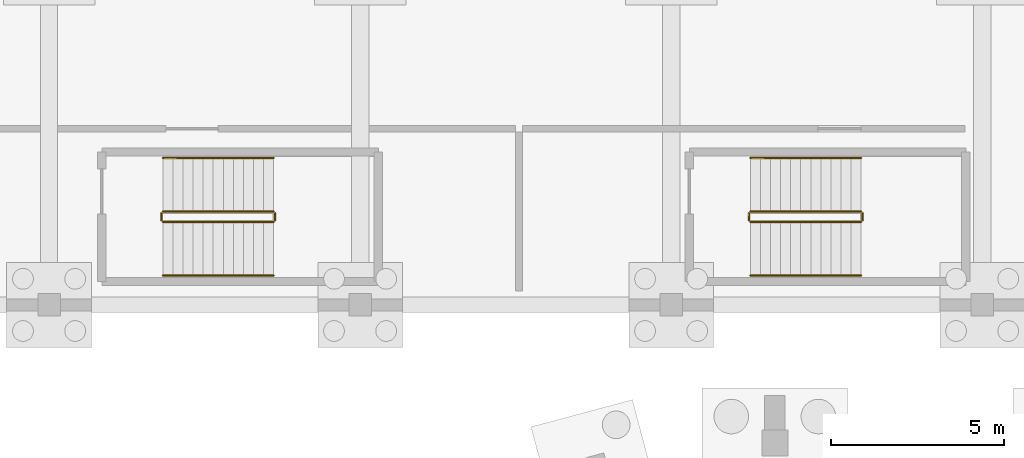
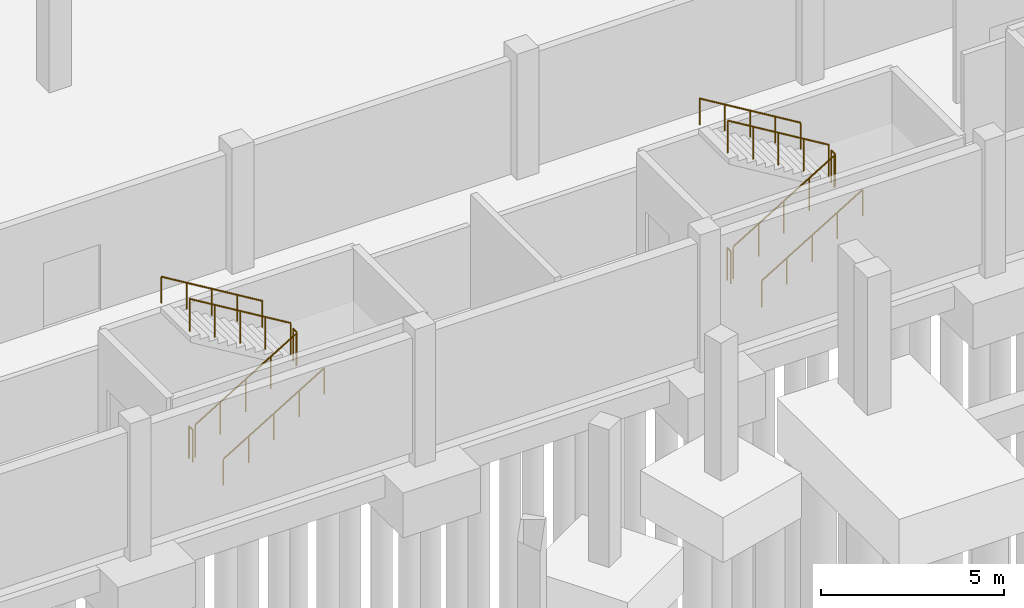
# One storey, part 30 of 36: 12 railings.
"""IFC4 building model written with IfcOpenShell, lengths in metres."""

from ifc_helpers import new_model, si_unit, derived_unit, direction, frame, origin, origin_2d, place, context, subcontext, project, spatial, circle, extrude, material, type_object, element, save


model = new_model("IFC4")

# Units and contexts
model_context = context("Model", 3, precision=1e-05, world=origin(), true_north=direction((0.0, 1.0)))
body_context = subcontext(model_context, "Body", "Model", "MODEL_VIEW")
ifc_project = project(units=[si_unit("LENGTHUNIT", "METRE"), si_unit("AREAUNIT", "SQUARE_METRE"), si_unit("VOLUMEUNIT", "CUBIC_METRE"), si_unit("PLANEANGLEUNIT", "RADIAN"), si_unit("MASSUNIT", "GRAM", prefix="KILO"), si_unit("THERMODYNAMICTEMPERATUREUNIT", "KELVIN"), si_unit("TIMEUNIT", "SECOND"), derived_unit("THERMALTRANSMITTANCEUNIT", [(si_unit("MASSUNIT", "GRAM", prefix="KILO"), 1), (si_unit("THERMODYNAMICTEMPERATUREUNIT", "KELVIN"), -1), (si_unit("TIMEUNIT", "SECOND"), -3)])], contexts=[model_context])

# Site, building, storey
site_placement = place(None, origin())
site = spatial("IfcSite", under=ifc_project, at=site_placement, CompositionType="ELEMENT")
building_placement = place(site_placement, origin())
building = spatial("IfcBuilding", under=site, at=building_placement, Name="Cambertide Market Hall", CompositionType="ELEMENT")
storey_placement = place(building_placement, frame((0.0, 0.0, -4.199951171875)))
storey = spatial("IfcBuildingStorey", under=building, at=storey_placement, Name="B1", CompositionType="ELEMENT", Elevation=-4.199951171875)

# Railings
ifc_material_1 = material(Name="Stainless Steel Grade 316", Category="metal")
railing_type_1 = type_object("IfcRailingType", Name="Stair Wall Handrail 900", PredefinedType="HANDRAIL", material=ifc_material_1)
railing_1_placement = place(storey_placement, frame((24.300048828125, 96.85009765625, 0.175048828125)))
element("IfcRailing", 1, at=railing_1_placement, inside=storey, type_object=railing_type_1, Name="Basement 1 ST-03 stair handrail 1", PredefinedType="HANDRAIL", context=body_context, shape_type="SweptSolid", body=[
    extrude(circle(Radius=0.02392578125, at=origin_2d()), frame((0.0, 0.0, 0.8759765625), z_axis=(0.856206652436, 0.0, 0.516633495163), x_axis=(0.0, 1.0, 0.0)), (0.0, 0.0, 1.0), 3.7255859375),
    extrude(circle(Radius=0.02099609375, at=origin_2d()), origin(), (0.0, 0.0, 1.0), 0.851806640625),
    extrude(circle(Radius=0.02099609375, at=origin_2d()), frame((0.79736328125, 0.0, 0.481201171875)), (0.0, 0.0, 1.0), 0.851806640625),
    extrude(circle(Radius=0.02099609375, at=origin_2d()), frame((1.594970703125, 0.0, 0.96240234375)), (0.0, 0.0, 1.0), 0.851806640625),
    extrude(circle(Radius=0.02099609375, at=origin_2d()), frame((2.392578125, 0.0, 1.443603515625)), (0.0, 0.0, 1.0), 0.851806640625),
    extrude(circle(Radius=0.02099609375, at=origin_2d()), frame((3.18994140625, 0.0, 1.9248046875)), (0.0, 0.0, 1.0), 0.851806640625),
])
railing_2_placement = place(storey_placement, frame((27.489990234375, 100.25, 2.27490234375)))
element("IfcRailing", 2, at=railing_2_placement, inside=storey, type_object=railing_type_1, Name="Basement 1 ST-03 stair handrail 2", PredefinedType="HANDRAIL", context=body_context, shape_type="SweptSolid", body=[
    extrude(circle(Radius=0.02392578125, at=origin_2d()), frame((0.0, 0.0, 0.8759765625), z_axis=(-0.856177665481, 0.0, 0.516681531633), x_axis=(0.0, -1.0, 0.0)), (0.0, 0.0, 1.0), 3.725830078125),
    extrude(circle(Radius=0.02099609375, at=origin_2d()), origin(), (0.0, 0.0, 1.0), 0.851806640625),
    extrude(circle(Radius=0.02099609375, at=origin_2d()), frame((-0.79736328125, 0.0, 0.481201171875)), (0.0, 0.0, 1.0), 0.851806640625),
    extrude(circle(Radius=0.02099609375, at=origin_2d()), frame((-1.594970703125, 0.0, 0.96240234375)), (0.0, 0.0, 1.0), 0.851806640625),
    extrude(circle(Radius=0.02099609375, at=origin_2d()), frame((-2.392578125, 0.0, 1.44384765625)), (0.0, 0.0, 1.0), 0.851806640625),
    extrude(circle(Radius=0.02099609375, at=origin_2d()), frame((-3.18994140625, 0.0, 1.925048828125)), (0.0, 0.0, 1.0), 0.851806640625),
])
railing_3_placement = place(storey_placement, frame((41.300048828125, 96.85009765625, 0.175048828125)))
element("IfcRailing", 3, at=railing_3_placement, inside=storey, type_object=railing_type_1, Name="Basement 1 ST-03B stair handrail 1", PredefinedType="HANDRAIL", context=body_context, shape_type="SweptSolid", body=[
    extrude(circle(Radius=0.02392578125, at=origin_2d()), frame((0.0, 0.0, 0.8759765625), z_axis=(0.856206652436, 0.0, 0.516633495163), x_axis=(0.0, 1.0, 0.0)), (0.0, 0.0, 1.0), 3.7255859375),
    extrude(circle(Radius=0.02099609375, at=origin_2d()), origin(), (0.0, 0.0, 1.0), 0.851806640625),
    extrude(circle(Radius=0.02099609375, at=origin_2d()), frame((0.79736328125, 0.0, 0.481201171875)), (0.0, 0.0, 1.0), 0.851806640625),
    extrude(circle(Radius=0.02099609375, at=origin_2d()), frame((1.594970703125, 0.0, 0.96240234375)), (0.0, 0.0, 1.0), 0.851806640625),
    extrude(circle(Radius=0.02099609375, at=origin_2d()), frame((2.392578125, 0.0, 1.443603515625)), (0.0, 0.0, 1.0), 0.851806640625),
    extrude(circle(Radius=0.02099609375, at=origin_2d()), frame((3.18994140625, 0.0, 1.9248046875)), (0.0, 0.0, 1.0), 0.851806640625),
])
railing_4_placement = place(storey_placement, frame((44.489990234375, 100.25, 2.27490234375)))
element("IfcRailing", 4, at=railing_4_placement, inside=storey, type_object=railing_type_1, Name="Basement 1 ST-03B stair handrail 2", PredefinedType="HANDRAIL", context=body_context, shape_type="SweptSolid", body=[
    extrude(circle(Radius=0.02392578125, at=origin_2d()), frame((0.0, 0.0, 0.8759765625), z_axis=(-0.856177665481, 0.0, 0.516681531633), x_axis=(0.0, -1.0, 0.0)), (0.0, 0.0, 1.0), 3.725830078125),
    extrude(circle(Radius=0.02099609375, at=origin_2d()), origin(), (0.0, 0.0, 1.0), 0.851806640625),
    extrude(circle(Radius=0.02099609375, at=origin_2d()), frame((-0.79736328125, 0.0, 0.481201171875)), (0.0, 0.0, 1.0), 0.851806640625),
    extrude(circle(Radius=0.02099609375, at=origin_2d()), frame((-1.594970703125, 0.0, 0.96240234375)), (0.0, 0.0, 1.0), 0.851806640625),
    extrude(circle(Radius=0.02099609375, at=origin_2d()), frame((-2.392578125, 0.0, 1.44384765625)), (0.0, 0.0, 1.0), 0.851806640625),
    extrude(circle(Radius=0.02099609375, at=origin_2d()), frame((-3.18994140625, 0.0, 1.925048828125)), (0.0, 0.0, 1.0), 0.851806640625),
])
ifc_material_2 = material(Name="Stainless Steel Grade 316", Category="metal")
railing_type_2 = type_object("IfcRailingType", Name="Stairwell Inner Guardrail 1100", PredefinedType="GUARDRAIL", material=ifc_material_2)
railing_5_placement = place(storey_placement, frame((24.300048828125, 98.39990234375, 0.175048828125)))
element("IfcRailing", 5, at=railing_5_placement, inside=storey, type_object=railing_type_2, Name="Basement 1 ST-03 stair guard 1", PredefinedType="GUARDRAIL", context=body_context, shape_type="SweptSolid", body=[
    extrude(circle(Radius=0.02392578125, at=origin_2d()), frame((0.0, 0.0, 1.076171875), z_axis=(0.856206652436, 0.0, 0.516633495163), x_axis=(0.0, 1.0, 0.0)), (0.0, 0.0, 1.0), 3.7255859375),
    extrude(circle(Radius=0.02099609375, at=origin_2d()), origin(), (0.0, 0.0, 1.0), 1.052001953125),
    extrude(circle(Radius=0.02099609375, at=origin_2d()), frame((0.79736328125, 0.0, 0.481201171875)), (0.0, 0.0, 1.0), 1.052001953125),
    extrude(circle(Radius=0.02099609375, at=origin_2d()), frame((1.594970703125, 0.0, 0.96240234375)), (0.0, 0.0, 1.0), 1.052001953125),
    extrude(circle(Radius=0.02099609375, at=origin_2d()), frame((2.392578125, 0.0, 1.443603515625)), (0.0, 0.0, 1.0), 1.052001953125),
    extrude(circle(Radius=0.02099609375, at=origin_2d()), frame((3.18994140625, 0.0, 1.9248046875)), (0.0, 0.0, 1.0), 1.052001953125),
])
railing_6_placement = place(storey_placement, frame((27.5400390625, 98.449951171875, 2.099853515625)))
element("IfcRailing", 6, at=railing_6_placement, inside=storey, type_object=railing_type_2, Name="Basement 1 ST-03 stair guard 2", PredefinedType="GUARDRAIL", context=body_context, shape_type="SweptSolid", body=[
    extrude(circle(Radius=0.02392578125, at=origin_2d()), frame((0.0, 0.0, 1.076171875), z_axis=(0.0, 1.0, 0.0), x_axis=(-1.0, 0.0, 0.0)), (0.0, 0.0, 1.0), 0.199951171875),
    extrude(circle(Radius=0.02099609375, at=origin_2d()), origin(), (0.0, 0.0, 1.0), 1.052001953125),
    extrude(circle(Radius=0.02099609375, at=origin_2d()), frame((0.0, 0.199951171875, 0.0)), (0.0, 0.0, 1.0), 1.052001953125),
])
railing_7_placement = place(storey_placement, frame((27.489990234375, 98.699951171875, 2.27490234375)))
element("IfcRailing", 7, at=railing_7_placement, inside=storey, type_object=railing_type_2, Name="Basement 1 ST-03 stair guard 3", PredefinedType="GUARDRAIL", context=body_context, shape_type="SweptSolid", body=[
    extrude(circle(Radius=0.02392578125, at=origin_2d()), frame((0.0, 0.0, 1.076171875), z_axis=(-0.856177665481, 0.0, 0.516681531633), x_axis=(0.0, -1.0, 0.0)), (0.0, 0.0, 1.0), 3.725830078125),
    extrude(circle(Radius=0.02099609375, at=origin_2d()), origin(), (0.0, 0.0, 1.0), 1.052001953125),
    extrude(circle(Radius=0.02099609375, at=origin_2d()), frame((-0.79736328125, 0.0, 0.481201171875)), (0.0, 0.0, 1.0), 1.052001953125),
    extrude(circle(Radius=0.02099609375, at=origin_2d()), frame((-1.594970703125, 0.0, 0.96240234375)), (0.0, 0.0, 1.0), 1.052001953125),
    extrude(circle(Radius=0.02099609375, at=origin_2d()), frame((-2.392578125, 0.0, 1.44384765625)), (0.0, 0.0, 1.0), 1.052001953125),
    extrude(circle(Radius=0.02099609375, at=origin_2d()), frame((-3.18994140625, 0.0, 1.925048828125)), (0.0, 0.0, 1.0), 1.052001953125),
])
railing_8_placement = place(storey_placement, frame((24.25, 98.449951171875, 0.0)))
element("IfcRailing", 8, at=railing_8_placement, inside=storey, type_object=railing_type_2, Name="Basement 1 ST-03 stair guard 4", PredefinedType="GUARDRAIL", context=body_context, shape_type="SweptSolid", body=[
    extrude(circle(Radius=0.02392578125, at=origin_2d()), frame((0.0, 0.0, 1.076171875), z_axis=(0.0, 1.0, 0.0), x_axis=(-1.0, 0.0, 0.0)), (0.0, 0.0, 1.0), 0.199951171875),
    extrude(circle(Radius=0.02099609375, at=origin_2d()), origin(), (0.0, 0.0, 1.0), 1.052001953125),
    extrude(circle(Radius=0.02099609375, at=origin_2d()), frame((0.0, 0.199951171875, 0.0)), (0.0, 0.0, 1.0), 1.052001953125),
])
railing_9_placement = place(storey_placement, frame((41.300048828125, 98.39990234375, 0.175048828125)))
element("IfcRailing", 9, at=railing_9_placement, inside=storey, type_object=railing_type_2, Name="Basement 1 ST-03B stair guard 1", PredefinedType="GUARDRAIL", context=body_context, shape_type="SweptSolid", body=[
    extrude(circle(Radius=0.02392578125, at=origin_2d()), frame((0.0, 0.0, 1.076171875), z_axis=(0.856206652436, 0.0, 0.516633495163), x_axis=(0.0, 1.0, 0.0)), (0.0, 0.0, 1.0), 3.7255859375),
    extrude(circle(Radius=0.02099609375, at=origin_2d()), origin(), (0.0, 0.0, 1.0), 1.052001953125),
    extrude(circle(Radius=0.02099609375, at=origin_2d()), frame((0.79736328125, 0.0, 0.481201171875)), (0.0, 0.0, 1.0), 1.052001953125),
    extrude(circle(Radius=0.02099609375, at=origin_2d()), frame((1.594970703125, 0.0, 0.96240234375)), (0.0, 0.0, 1.0), 1.052001953125),
    extrude(circle(Radius=0.02099609375, at=origin_2d()), frame((2.392578125, 0.0, 1.443603515625)), (0.0, 0.0, 1.0), 1.052001953125),
    extrude(circle(Radius=0.02099609375, at=origin_2d()), frame((3.18994140625, 0.0, 1.9248046875)), (0.0, 0.0, 1.0), 1.052001953125),
])
railing_10_placement = place(storey_placement, frame((44.5400390625, 98.449951171875, 2.099853515625)))
element("IfcRailing", 10, at=railing_10_placement, inside=storey, type_object=railing_type_2, Name="Basement 1 ST-03B stair guard 2", PredefinedType="GUARDRAIL", context=body_context, shape_type="SweptSolid", body=[
    extrude(circle(Radius=0.02392578125, at=origin_2d()), frame((0.0, 0.0, 1.076171875), z_axis=(0.0, 1.0, 0.0), x_axis=(-1.0, 0.0, 0.0)), (0.0, 0.0, 1.0), 0.199951171875),
    extrude(circle(Radius=0.02099609375, at=origin_2d()), origin(), (0.0, 0.0, 1.0), 1.052001953125),
    extrude(circle(Radius=0.02099609375, at=origin_2d()), frame((0.0, 0.199951171875, 0.0)), (0.0, 0.0, 1.0), 1.052001953125),
])
railing_11_placement = place(storey_placement, frame((44.489990234375, 98.699951171875, 2.27490234375)))
element("IfcRailing", 11, at=railing_11_placement, inside=storey, type_object=railing_type_2, Name="Basement 1 ST-03B stair guard 3", PredefinedType="GUARDRAIL", context=body_context, shape_type="SweptSolid", body=[
    extrude(circle(Radius=0.02392578125, at=origin_2d()), frame((0.0, 0.0, 1.076171875), z_axis=(-0.856177665481, 0.0, 0.516681531633), x_axis=(0.0, -1.0, 0.0)), (0.0, 0.0, 1.0), 3.725830078125),
    extrude(circle(Radius=0.02099609375, at=origin_2d()), origin(), (0.0, 0.0, 1.0), 1.052001953125),
    extrude(circle(Radius=0.02099609375, at=origin_2d()), frame((-0.79736328125, 0.0, 0.481201171875)), (0.0, 0.0, 1.0), 1.052001953125),
    extrude(circle(Radius=0.02099609375, at=origin_2d()), frame((-1.594970703125, 0.0, 0.96240234375)), (0.0, 0.0, 1.0), 1.052001953125),
    extrude(circle(Radius=0.02099609375, at=origin_2d()), frame((-2.392578125, 0.0, 1.44384765625)), (0.0, 0.0, 1.0), 1.052001953125),
    extrude(circle(Radius=0.02099609375, at=origin_2d()), frame((-3.18994140625, 0.0, 1.925048828125)), (0.0, 0.0, 1.0), 1.052001953125),
])
railing_12_placement = place(storey_placement, frame((41.25, 98.449951171875, 0.0)))
element("IfcRailing", 12, at=railing_12_placement, inside=storey, type_object=railing_type_2, Name="Basement 1 ST-03B stair guard 4", PredefinedType="GUARDRAIL", context=body_context, shape_type="SweptSolid", body=[
    extrude(circle(Radius=0.02392578125, at=origin_2d()), frame((0.0, 0.0, 1.076171875), z_axis=(0.0, 1.0, 0.0), x_axis=(-1.0, 0.0, 0.0)), (0.0, 0.0, 1.0), 0.199951171875),
    extrude(circle(Radius=0.02099609375, at=origin_2d()), origin(), (0.0, 0.0, 1.0), 1.052001953125),
    extrude(circle(Radius=0.02099609375, at=origin_2d()), frame((0.0, 0.199951171875, 0.0)), (0.0, 0.0, 1.0), 1.052001953125),
])

save(model, "model.ifc")
